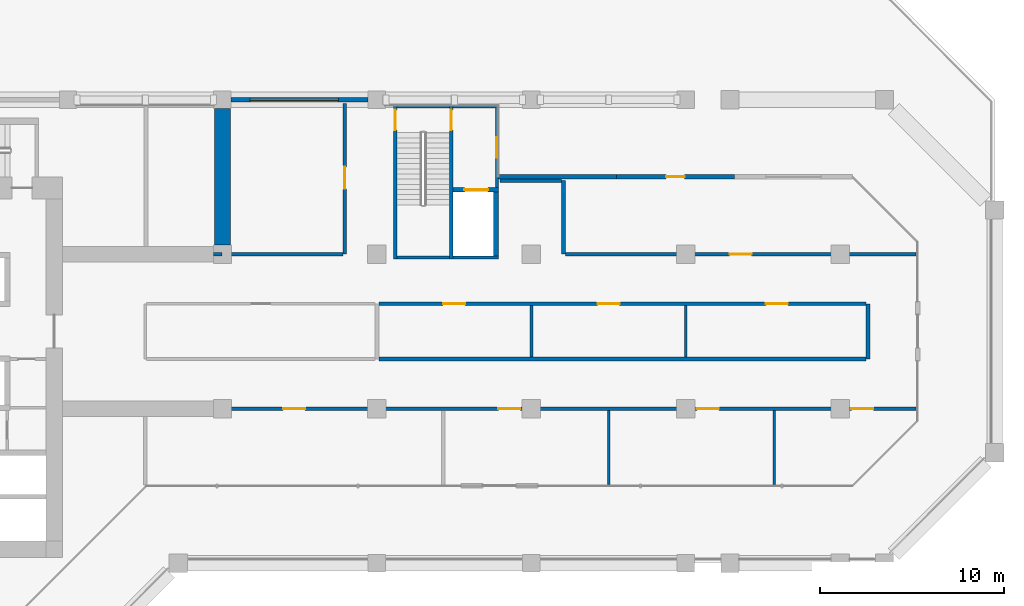
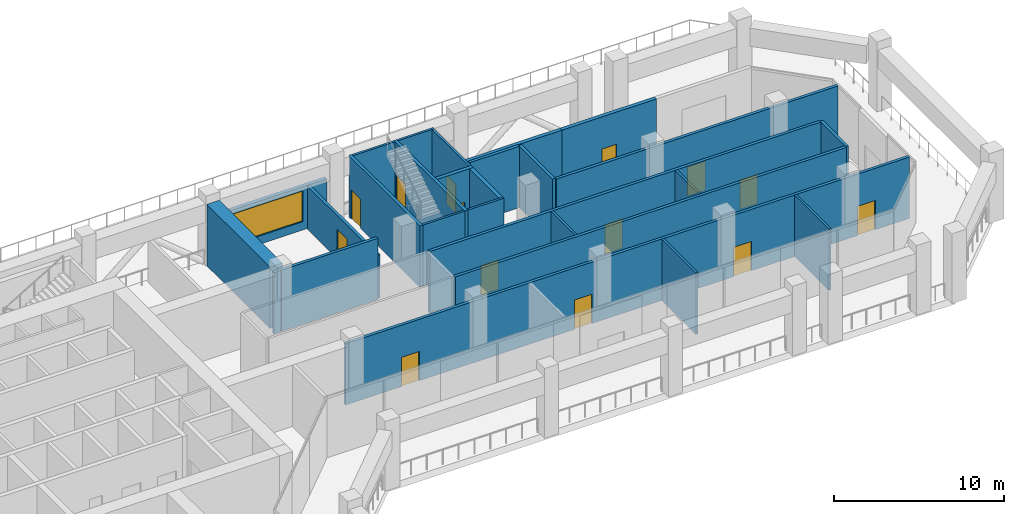
# One storey, part 9 of 19: 27 walls, 14 doors, 1 window, 15 openings.
"""IFC4 building model written with IfcOpenShell, lengths in metres."""

import ifcopenshell
import ifcopenshell.guid

model = None  # the IFC model being written
_history = None  # IfcOwnerHistory: only IFC2X3 demands one
_inside = {}  # id of a spatial element -> (the spatial element, [elements in it])
_under = {}  # id of a project, library or spatial element -> (it, [spatial elements below it])
_declared = {}  # id of a project -> (the project, [libraries it declares])
_typed = {}  # id of a type object -> (the type object, [elements of that type])
_made_of = {}  # id of a material, layer set ... -> (it, [elements and type objects made of it])


def new_model(schema):
    """Start an empty IFC model of exactly this schema.

    Asked for "IFC4X3", IfcOpenShell would pick the latest addendum, in which some entities
    have other attributes; the version numbers below select the first issue.
    IFC2X3 requires an IfcOwnerHistory on every rooted entity: one is made here for all.
    """
    global model, _history
    if schema == "IFC4X3":
        model = ifcopenshell.file(schema_version=(4, 3, 0, 0))
    else:
        model = ifcopenshell.file(schema=schema)
    _inside.clear()
    _under.clear()
    _declared.clear()
    _typed.clear()
    _made_of.clear()
    _history = None
    if model.schema == "IFC2X3":
        org = make("IfcOrganization", Name="unknown")
        user = make(
            "IfcPersonAndOrganization",
            ThePerson=make("IfcPerson", FamilyName="unknown"),
            TheOrganization=org,
        )
        app = make(
            "IfcApplication",
            ApplicationDeveloper=org,
            Version="unknown",
            ApplicationFullName="unknown",
            ApplicationIdentifier="unknown",
        )
        _history = make(
            "IfcOwnerHistory",
            OwningUser=user,
            OwningApplication=app,
            ChangeAction="ADDED",
            CreationDate=0,
        )
    return model


def make(cls, **values):
    """One entity of the class cls with the attributes given. An attribute that is None is left unset."""
    return model.create_entity(
        cls, **{name: value for name, value in values.items() if value is not None}
    )


def rooted(cls, **values):
    """An entity with a GlobalId (a new one), such as an element, a storey or a relation."""
    return make(cls, GlobalId=ifcopenshell.guid.new(), OwnerHistory=_history, **values)


def si_unit(unit_type, name, prefix=None):
    """IfcSIUnit, for example si_unit("LENGTHUNIT", "METRE", prefix="MILLI")."""
    return make("IfcSIUnit", UnitType=unit_type, Prefix=prefix, Name=name)


def assignment(units):
    """IfcUnitAssignment: the units of a project."""
    return None if units is None else make("IfcUnitAssignment", Units=units)


def point(xyz):
    """IfcCartesianPoint."""
    return None if xyz is None else make("IfcCartesianPoint", Coordinates=xyz)


def direction(xyz):
    """IfcDirection."""
    return None if xyz is None else make("IfcDirection", DirectionRatios=xyz)


def frame(location, z_axis=None, x_axis=None):
    """IfcAxis2Placement3D, a coordinate frame: its origin and axes. An axis left out is left unset."""
    return make(
        "IfcAxis2Placement3D",
        Location=point(location),
        Axis=direction(z_axis),
        RefDirection=direction(x_axis),
    )


def frame_2d(location, x_axis=None):
    """IfcAxis2Placement2D, a coordinate frame in the plane: its origin and x axis."""
    return make(
        "IfcAxis2Placement2D", Location=point(location), RefDirection=direction(x_axis)
    )


def origin():
    """The frame at (0, 0, 0) with its axes left unset."""
    return frame((0.0, 0.0, 0.0))


def place(relative_to, where):
    """IfcLocalPlacement: puts the frame where relative to a parent placement (None: the world)."""
    return make(
        "IfcLocalPlacement", PlacementRelTo=relative_to, RelativePlacement=where
    )


def context(
    kind, dimensions, precision=None, world=None, true_north=None, identifier=None
):
    """IfcGeometricRepresentationContext, for example the 3D "Model" context."""
    return make(
        "IfcGeometricRepresentationContext",
        ContextIdentifier=identifier,
        ContextType=kind,
        CoordinateSpaceDimension=dimensions,
        Precision=precision,
        WorldCoordinateSystem=world,
        TrueNorth=true_north,
    )


def subcontext(parent, identifier, kind, view, scale=None):
    """IfcGeometricRepresentationSubContext, for example "Body" below "Model"."""
    return make(
        "IfcGeometricRepresentationSubContext",
        ContextIdentifier=identifier,
        ContextType=kind,
        ParentContext=parent,
        TargetScale=scale,
        TargetView=view,
    )


def project(units=None, contexts=None):
    """IfcProject with its units and contexts."""
    return rooted(
        "IfcProject",
        Name="project",
        RepresentationContexts=contexts,
        UnitsInContext=assignment(units),
    )


def spatial(cls, under=None, at=None, **own):
    """A site, building, storey or space (cls), placed at a placement, below another one or the project."""
    s = rooted(cls, ObjectPlacement=at, **own)
    if under is not None:
        _under.setdefault(under.id(), (under, []))[1].append(s)
    return s


def profile(cls, at=None, kind="AREA", **sizes):
    """A parametric profile (cls). Its sizes go by their IFC names, for example OverallWidth=200.0."""
    return make(cls, ProfileType=kind, Position=at, **sizes)


def rectangle(**sizes):
    """IfcRectangleProfileDef."""
    return profile("IfcRectangleProfileDef", **sizes)


def extrude(swept, where, along, depth):
    """IfcExtrudedAreaSolid: the profile swept, set in the frame where, extruded along a direction by depth."""
    return make(
        "IfcExtrudedAreaSolid",
        SweptArea=swept,
        Position=where,
        ExtrudedDirection=direction(along),
        Depth=depth,
    )


def shape(context_of_items, identifier, shape_type, items):
    """IfcShapeRepresentation: the items that make up one representation, for example the "Body"."""
    return make(
        "IfcShapeRepresentation",
        ContextOfItems=context_of_items,
        RepresentationIdentifier=identifier,
        RepresentationType=shape_type,
        Items=items,
    )


def material(Name=None, Category=None):
    """IfcMaterial."""
    return make("IfcMaterial", Name=Name, Category=Category)


def layer(
    of_material, thickness, ventilated=None, Name=None, Category=None, Priority=None
):
    """IfcMaterialLayer: one layer of a wall or slab, of a material (None: an air gap)."""
    return make(
        "IfcMaterialLayer",
        Material=of_material,
        LayerThickness=thickness,
        IsVentilated=ventilated,
        Name=Name,
        Category=Category,
        Priority=Priority,
    )


def layer_set(layers, Name=None):
    """IfcMaterialLayerSet."""
    return make("IfcMaterialLayerSet", MaterialLayers=layers, LayerSetName=Name)


def made_of(thing, what):
    """Note that an element or type object is made of a material, layer set ...; save() writes the relation."""
    if what is not None:
        _made_of.setdefault(what.id(), (what, []))[1].append(thing)
    return thing


def type_object(cls, material=None, **own):
    """A type object (cls), such as IfcWallType, which elements share."""
    return made_of(rooted(cls, **own), material)


def element(
    cls,
    number,
    at=None,
    inside=None,
    cuts=None,
    type_object=None,
    material=None,
    context=None,
    identifier="Body",
    shape_type=None,
    held_by="IfcProductDefinitionShape",
    body=None,
    shapes=None,
    **own,
):
    """One element of the class cls, such as IfcWall. Its Tag is "e" and its number.

    at: its placement. inside: the storey or other place that contains it. cuts: it is an
    opening in that element (IfcRelVoidsElement). A single representation is given by context,
    identifier, shape_type and body (its items); several are given by shapes. held_by: the class
    of the entity that holds the representations. save() writes the other relations.
    """
    e = rooted(cls, Tag="e%d" % number, ObjectPlacement=at, **own)
    if body is not None:
        shapes = [shape(context, identifier, shape_type, body)]
    if shapes is not None:
        e.Representation = make(held_by, Representations=shapes)
    if inside is not None:
        _inside.setdefault(inside.id(), (inside, []))[1].append(e)
    if cuts is not None:
        rooted(
            "IfcRelVoidsElement", RelatingBuildingElement=cuts, RelatedOpeningElement=e
        )
    if type_object is not None:
        _typed.setdefault(type_object.id(), (type_object, []))[1].append(e)
    return made_of(e, material)


def fill(opening, filler):
    """IfcRelFillsElement: the door or window that sits in an opening."""
    return rooted(
        "IfcRelFillsElement",
        RelatingOpeningElement=opening,
        RelatedBuildingElement=filler,
    )


def aggregate(whole, parts):
    """IfcRelAggregates: a whole, such as a stair, and the parts it consists of."""
    return rooted("IfcRelAggregates", RelatingObject=whole, RelatedObjects=parts)


def save(model, path):
    """Write the relations noted so far, then the file.

    IfcRelAggregates (storeys below a building ...), IfcRelContainedInSpatialStructure (elements
    in a storey), IfcRelDefinesByType, IfcRelAssociatesMaterial and IfcRelDeclares: one each for
    every whole, place, type object, material and project.
    """
    for whole, parts in _under.values():
        aggregate(whole, parts)
    for where, things in _inside.values():
        rooted(
            "IfcRelContainedInSpatialStructure",
            RelatedElements=things,
            RelatingStructure=where,
        )
    for kind, things in _typed.values():
        rooted("IfcRelDefinesByType", RelatedObjects=things, RelatingType=kind)
    for what, things in _made_of.values():
        rooted("IfcRelAssociatesMaterial", RelatedObjects=things, RelatingMaterial=what)
    for by, libraries in _declared.values():
        rooted("IfcRelDeclares", RelatingContext=by, RelatedDefinitions=libraries)
    model.write(path)


model = new_model("IFC4")

# Units and contexts
model_context = context("Model", 3, precision=1e-05, world=origin(), true_north=direction((0.0, 1.0)))
body_context = subcontext(model_context, "Body", "Model", "MODEL_VIEW")
ifc_project = project(units=[si_unit("LENGTHUNIT", "METRE"), si_unit("AREAUNIT", "SQUARE_METRE"), si_unit("VOLUMEUNIT", "CUBIC_METRE"), si_unit("PLANEANGLEUNIT", "RADIAN"), si_unit("MASSUNIT", "GRAM", prefix="KILO")], contexts=[model_context])

# Site, building, storey
site_placement = place(None, origin())
site = spatial("IfcSite", under=ifc_project, at=site_placement, CompositionType="ELEMENT")
building_placement = place(site_placement, origin())
building = spatial("IfcBuilding", under=site, at=building_placement, Name="Kawkab Arch Medical Tower", CompositionType="ELEMENT")
storey_placement = place(building_placement, frame((0.0, 0.0, 153.39990234375)))
storey = spatial("IfcBuildingStorey", under=building, at=storey_placement, Name="L35", CompositionType="ELEMENT", Elevation=153.39990234375)

# Wall
ifc_material_1 = material(Name="Concrete C50/60", Category="concrete")
ifc_layer_1 = layer(ifc_material_1, 0.85009765625)
ifc_layer_set_1 = layer_set([ifc_layer_1], Name="Concrete C50/60")
wall_type_1 = type_object("IfcWallType", Name="Belt wall 850 C50/60", PredefinedType="SHEAR", material=ifc_layer_set_1)
wall_1_placement = place(storey_placement, frame((33.60009765625, -0.47509765625, 0.0), z_axis=(0.0, 0.0, 1.0), x_axis=(0.0, -1.0, 0.0)))
element("IfcWall", 1, at=wall_1_placement, inside=storey, type_object=wall_type_1, Name="Belt wall BW-L35-3", PredefinedType="SHEAR", context=body_context, shape_type="SweptSolid", body=[
    extrude(rectangle(XDim=7.4248046875, YDim=0.85009765625, at=frame_2d((3.71240234375, 0.0))), origin(), (0.0, 0.0, 1.0), 4.400146484375),
])

# Wall, opening, door
ifc_material_2 = material(Name="Gypsum board on steel studs", Category="steel")
ifc_layer_2 = layer(ifc_material_2, 0.14990234375)
ifc_layer_set_2 = layer_set([ifc_layer_2], Name="Gypsum board on steel studs")
wall_type_2 = type_object("IfcWallType", Name="Core room partition 150", PredefinedType="PARTITIONING", material=ifc_layer_set_2)
wall_2_placement = place(storey_placement, frame((48.52490234375, -4.77490234375, 0.0), z_axis=(0.0, 0.0, 1.0), x_axis=(0.0, 1.0, 0.0)))
wall_2 = element("IfcWall", 2, at=wall_2_placement, inside=storey, type_object=wall_type_2, Name="L35 core room partition", PredefinedType="PARTITIONING", context=body_context, shape_type="SweptSolid", body=[
    extrude(rectangle(XDim=4.324951171875, YDim=0.14990234375, at=frame_2d((2.16259765625, 0.0))), origin(), (0.0, 0.0, 1.0), 4.400146484375),
])
opening_1_placement = place(wall_2_placement, frame((1.625, 0.0, 0.0)))
opening_1 = element("IfcOpeningElement", 3, at=opening_1_placement, cuts=wall_2, Name="Opening FD", PredefinedType="OPENING", context=body_context, shape_type="SweptSolid", body=[
    extrude(rectangle(XDim=1.10009765625, YDim=2.10009765625, at=frame_2d((0.550048828125, 1.050048828125))), frame((0.0, 0.0849609375, 0.0), z_axis=(0.0, -1.0, 0.0), x_axis=(1.0, 0.0, 0.0)), (0.0, 0.0, 1.0), 0.169921875),
])
ifc_material_3 = material(Name="Hollow metal fire door leaf")
door_type_1 = type_object("IfcDoorType", Name="Firefighting lobby door 1100", OperationType="SINGLE_SWING_LEFT", PredefinedType="DOOR", material=ifc_material_3)
door_1_placement = place(opening_1_placement, origin())
door_1 = element("IfcDoor", 4, at=door_1_placement, inside=storey, type_object=door_type_1, Name="L35 Service lift lobby door SV1", OperationType="SINGLE_SWING_LEFT", OverallHeight=2.10009765625, OverallWidth=1.10009765625, PredefinedType="DOOR", context=body_context, shape_type="SweptSolid", body=[
    extrude(rectangle(XDim=1.10009765625, YDim=2.10009765625, at=frame_2d((0.550048828125, 1.050048828125))), frame((0.0, 0.02490234375, 0.0), z_axis=(0.0, -1.0, 0.0), x_axis=(1.0, 0.0, 0.0)), (0.0, 0.0, 1.0), 0.050048828125),
])
fill(opening_1, door_1)

ifc_material_4 = material(Name="Concrete C60/75", Category="concrete")
ifc_layer_3 = layer(ifc_material_4, 0.25)
ifc_layer_set_3 = layer_set([ifc_layer_3], Name="Concrete C60/75")
wall_type_3 = type_object("IfcWallType", Name="Core shear wall 250 C60/75", PredefinedType="SHEAR", material=ifc_layer_set_3)
wall_3_placement = place(storey_placement, frame((46.14990234375, -4.89990234375, 0.0), z_axis=(0.0, 0.0, 1.0), x_axis=(1.0, 0.0, 0.0)))
wall_3 = element("IfcWall", 5, at=wall_3_placement, inside=storey, type_object=wall_type_3, Name="L35 core shear wall", PredefinedType="SHEAR", context=body_context, shape_type="SweptSolid", body=[
    extrude(rectangle(XDim=2.4501953125, YDim=0.25, at=frame_2d((1.22509765625, 0.0))), origin(), (0.0, 0.0, 1.0), 4.400146484375),
])
opening_2_placement = place(wall_3_placement, frame((0.60009765625, 0.0, 0.0)))
opening_2 = element("IfcOpeningElement", 6, at=opening_2_placement, cuts=wall_3, Name="Opening LD2", PredefinedType="OPENING", context=body_context, shape_type="SweptSolid", body=[
    extrude(rectangle(XDim=1.300048828125, YDim=2.10009765625, at=frame_2d((0.64990234375, 1.050048828125))), frame((0.0, 0.135009765625, 0.0), z_axis=(0.0, -1.0, 0.0), x_axis=(1.0, 0.0, 0.0)), (0.0, 0.0, 1.0), 0.27001953125),
])
ifc_material_5 = material(Name="Stainless steel lift door leaf", Category="steel")
door_type_2 = type_object("IfcDoorType", Name="Lift landing door 1300", OperationType="DOUBLE_DOOR_SLIDING", PredefinedType="DOOR", material=ifc_material_5)
door_2_placement = place(opening_2_placement, origin())
door_2 = element("IfcDoor", 7, at=door_2_placement, inside=storey, type_object=door_type_2, Name="L35 Lift landing door SV1", OperationType="DOUBLE_DOOR_SLIDING", OverallHeight=2.10009765625, OverallWidth=1.300048828125, PredefinedType="DOOR", context=body_context, shape_type="SweptSolid", body=[
    extrude(rectangle(XDim=1.300048828125, YDim=2.10009765625, at=frame_2d((0.64990234375, 1.050048828125))), frame((0.0, 0.02490234375, 0.0), z_axis=(0.0, -1.0, 0.0), x_axis=(1.0, 0.0, 0.0)), (0.0, 0.0, 1.0), 0.050048828125),
])
fill(opening_2, door_2)

# Wall
wall_4_placement = place(storey_placement, frame((48.47509765625, -8.5, 0.0), z_axis=(0.0, 0.0, 1.0), x_axis=(0.0, 1.0, 0.0)))
element("IfcWall", 8, at=wall_4_placement, inside=storey, type_object=wall_type_3, Name="L35 core shear wall", PredefinedType="SHEAR", context=body_context, shape_type="SweptSolid", body=[
    extrude(rectangle(XDim=3.47509765625, YDim=0.25, at=frame_2d((1.737548828125, 0.0))), origin(), (0.0, 0.0, 1.0), 4.400146484375),
])

# Wall, opening, door
ifc_material_6 = material(Name="Bronze clad insulated wall panel")
ifc_layer_4 = layer(ifc_material_6, 0.25)
ifc_layer_set_4 = layer_set([ifc_layer_4], Name="Bronze clad insulated wall panel")
wall_type_4 = type_object("IfcWallType", Name="External wall bay 250", PredefinedType="SOLIDWALL", material=ifc_layer_set_4)
wall_5_placement = place(storey_placement, frame((61.4404296875, -4.199951171875, 0.0), z_axis=(0.0, 0.0, 1.0), x_axis=(-1.0, 0.0, 0.0)))
wall_5 = element("IfcWall", 9, at=wall_5_placement, inside=storey, type_object=wall_type_4, Name="Plant wall L35.R15.2", PredefinedType="SOLIDWALL", context=body_context, shape_type="SweptSolid", body=[
    extrude(rectangle(XDim=6.419677734375, YDim=0.25, at=frame_2d((3.2099609375, 0.0))), origin(), (0.0, 0.0, 1.0), 4.400146484375),
])
opening_3_placement = place(wall_5_placement, frame((2.710205078125, 0.0, 0.0)))
opening_3 = element("IfcOpeningElement", 10, at=opening_3_placement, cuts=wall_5, Name="Opening PL2A-701", PredefinedType="OPENING", context=body_context, shape_type="SweptSolid", body=[
    extrude(rectangle(XDim=1.0, YDim=2.10009765625, at=frame_2d((0.5, 1.050048828125))), frame((0.0, 0.135009765625, 0.0), z_axis=(0.0, -1.0, 0.0), x_axis=(1.0, 0.0, 0.0)), (0.0, 0.0, 1.0), 0.27001953125),
])
ifc_material_7 = material(Name="Bronze anodised aluminium door with tinted glass", Category="aluminium")
door_type_3 = type_object("IfcDoorType", Name="Single external door 1000 x 2100", OperationType="SINGLE_SWING_LEFT", PredefinedType="DOOR", material=ifc_material_7)
door_3_placement = place(opening_3_placement, origin())
door_3 = element("IfcDoor", 11, at=door_3_placement, inside=storey, type_object=door_type_3, Name="Roof terrace door L35.R15.2", OperationType="SINGLE_SWING_LEFT", OverallHeight=2.10009765625, OverallWidth=1.0, PredefinedType="DOOR", context=body_context, shape_type="SweptSolid", body=[
    extrude(rectangle(XDim=1.0, YDim=2.10009765625, at=frame_2d((0.5, 1.050048828125))), frame((0.0, 0.02490234375, 0.0), z_axis=(0.0, -1.0, 0.0), x_axis=(1.0, 0.0, 0.0)), (0.0, 0.0, 1.0), 0.050048828125),
])
fill(opening_3, door_3)

# Wall
wall_6_placement = place(storey_placement, frame((55.020751953125, -4.199951171875, 0.0), z_axis=(0.0, 0.0, 1.0), x_axis=(-1.0, 0.0, 0.0)))
element("IfcWall", 12, at=wall_6_placement, inside=storey, type_object=wall_type_4, Name="Plant wall L35.R15.3", PredefinedType="SOLIDWALL", context=body_context, shape_type="SweptSolid", body=[
    extrude(rectangle(XDim=6.419677734375, YDim=0.25, at=frame_2d((3.2099609375, 0.0))), origin(), (0.0, 0.0, 1.0), 4.400146484375),
])

# Wall, opening, window
wall_7_placement = place(storey_placement, frame((41.52490234375, 0.0, 0.0), z_axis=(0.0, 0.0, 1.0), x_axis=(-1.0, 0.0, 0.0)))
wall_7 = element("IfcWall", 13, at=wall_7_placement, inside=storey, type_object=wall_type_4, Name="Plant wall L35.R18.2", PredefinedType="SOLIDWALL", context=body_context, shape_type="SweptSolid", body=[
    extrude(rectangle(XDim=7.449951171875, YDim=0.25, at=frame_2d((3.72509765625, 0.0))), origin(), (0.0, 0.0, 1.0), 3.10009765625),
])
opening_4_placement = place(wall_7_placement, frame((1.625, 0.0, 0.60009765625)))
opening_4 = element("IfcOpeningElement", 14, at=opening_4_placement, cuts=wall_7, Name="Opening PW480-22-S6", PredefinedType="OPENING", context=body_context, shape_type="SweptSolid", body=[
    extrude(rectangle(XDim=4.800048828125, YDim=2.199951171875, at=frame_2d((2.39990234375, 1.10009765625))), frame((0.0, 0.135009765625, 0.0), z_axis=(0.0, -1.0, 0.0), x_axis=(1.0, 0.0, 0.0)), (0.0, 0.0, 1.0), 0.27001953125),
])
ifc_material_8 = material(Name="Bronze anodised aluminium louvred window", Category="aluminium")
window_type = type_object("IfcWindowType", Name="Plant louvre window 4800 x 2200 sill 600", PartitioningType="DOUBLE_PANEL_VERTICAL", PredefinedType="WINDOW", material=ifc_material_8)
window_placement = place(opening_4_placement, origin())
window = element("IfcWindow", 15, at=window_placement, inside=storey, type_object=window_type, Name="Plant louvre window L35.R18.2", OverallHeight=2.199951171875, OverallWidth=4.800048828125, PartitioningType="SINGLE_PANEL", PredefinedType="WINDOW", context=body_context, shape_type="SweptSolid", body=[
    extrude(rectangle(XDim=4.800048828125, YDim=2.199951171875, at=frame_2d((2.39990234375, 1.10009765625))), frame((0.0, 0.030029296875, 0.0), z_axis=(0.0, -1.0, 0.0), x_axis=(1.0, 0.0, 0.0)), (0.0, 0.0, 1.0), 0.06005859375),
])
fill(opening_4, window)

# Walls
ifc_material_9 = material(Name="Gypsum board partition on steel studs, mineral wool", Category="steel")
ifc_layer_5 = layer(ifc_material_9, 0.14990234375)
ifc_layer_set_5 = layer_set([ifc_layer_5], Name="Gypsum board partition on steel studs, mineral wool")
wall_type_5 = type_object("IfcWallType", Name="Partition 150", PredefinedType="PARTITIONING", material=ifc_layer_set_5)
wall_8_placement = place(storey_placement, frame((50.39990234375, -14.0, 0.0), z_axis=(0.0, 0.0, 1.0), x_axis=(0.0, 1.0, 0.0)))
element("IfcWall", 16, at=wall_8_placement, inside=storey, type_object=wall_type_5, Name="Partition 150 w008", PredefinedType="PARTITIONING", context=body_context, shape_type="SweptSolid", body=[
    extrude(rectangle(XDim=2.800048828125, YDim=0.14990234375, at=frame_2d((1.39990234375, 0.0))), origin(), (0.0, 0.0, 1.0), 4.400146484375),
])
wall_9_placement = place(storey_placement, frame((54.60009765625, -20.919921875, 0.0), z_axis=(0.0, 0.0, 1.0), x_axis=(0.0, 1.0, 0.0)))
element("IfcWall", 17, at=wall_9_placement, inside=storey, type_object=wall_type_5, Name="Partition 150 w009", PredefinedType="PARTITIONING", context=body_context, shape_type="SweptSolid", body=[
    extrude(rectangle(XDim=4.02001953125, YDim=0.14990234375, at=frame_2d((2.010009765625, 0.0))), origin(), (0.0, 0.0, 1.0), 4.400146484375),
])
wall_10_placement = place(storey_placement, frame((58.800048828125, -14.0, 0.0), z_axis=(0.0, 0.0, 1.0), x_axis=(0.0, 1.0, 0.0)))
element("IfcWall", 18, at=wall_10_placement, inside=storey, type_object=wall_type_5, Name="Partition 150 w010", PredefinedType="PARTITIONING", context=body_context, shape_type="SweptSolid", body=[
    extrude(rectangle(XDim=2.800048828125, YDim=0.14990234375, at=frame_2d((1.39990234375, 0.0))), origin(), (0.0, 0.0, 1.0), 4.400146484375),
])
wall_11_placement = place(storey_placement, frame((63.60009765625, -20.919921875, 0.0), z_axis=(0.0, 0.0, 1.0), x_axis=(0.0, 1.0, 0.0)))
element("IfcWall", 19, at=wall_11_placement, inside=storey, type_object=wall_type_5, Name="Partition 150 w011", PredefinedType="PARTITIONING", context=body_context, shape_type="SweptSolid", body=[
    extrude(rectangle(XDim=4.02001953125, YDim=0.14990234375, at=frame_2d((2.010009765625, 0.0))), origin(), (0.0, 0.0, 1.0), 4.400146484375),
])

# Wall, openings, doors
ifc_material_10 = material(Name="Fire-rated gypsum board partition on steel studs", Category="steel")
ifc_layer_6 = layer(ifc_material_10, 0.199951171875)
ifc_layer_set_6 = layer_set([ifc_layer_6], Name="Fire-rated gypsum board partition on steel studs")
wall_type_6 = type_object("IfcWallType", Name="Protected partition 200", PredefinedType="PARTITIONING", material=ifc_layer_set_6)
wall_12_placement = place(storey_placement, frame((33.10009765625, -16.800048828125, 0.0), z_axis=(0.0, 0.0, 1.0), x_axis=(1.0, 0.0, 0.0)))
wall_12 = element("IfcWall", 20, at=wall_12_placement, inside=storey, type_object=wall_type_6, Name="Protected partition 200 w015", PredefinedType="PARTITIONING", context=body_context, shape_type="SweptSolid", body=[
    extrude(rectangle(XDim=38.220947265625, YDim=0.199951171875, at=frame_2d((19.1103515625, 0.0))), origin(), (0.0, 0.0, 1.0), 4.400146484375),
])
opening_5_placement = place(wall_12_placement, frame((3.800048828125, 0.0, 0.0)))
opening_5 = element("IfcOpeningElement", 21, at=opening_5_placement, cuts=wall_12, Name="Opening PL2A-016", PredefinedType="OPENING", context=body_context, shape_type="SweptSolid", body=[
    extrude(rectangle(XDim=1.199951171875, YDim=2.10009765625, at=frame_2d((0.60009765625, 1.050048828125))), frame((0.0, 0.10986328125, 0.0), z_axis=(0.0, -1.0, 0.0), x_axis=(1.0, 0.0, 0.0)), (0.0, 0.0, 1.0), 0.219970703125),
])
opening_6_placement = place(wall_12_placement, frame((15.5, 0.0, 0.0)))
opening_6 = element("IfcOpeningElement", 22, at=opening_6_placement, cuts=wall_12, Name="Opening PL2A-008", PredefinedType="OPENING", context=body_context, shape_type="SweptSolid", body=[
    extrude(rectangle(XDim=1.199951171875, YDim=2.10009765625, at=frame_2d((0.60009765625, 1.050048828125))), frame((0.0, 0.10986328125, 0.0), z_axis=(0.0, -1.0, 0.0), x_axis=(1.0, 0.0, 0.0)), (0.0, 0.0, 1.0), 0.219970703125),
])
opening_7_placement = place(wall_12_placement, frame((26.300048828125, 0.0, 0.0)))
opening_7 = element("IfcOpeningElement", 23, at=opening_7_placement, cuts=wall_12, Name="Opening PL2A-009", PredefinedType="OPENING", context=body_context, shape_type="SweptSolid", body=[
    extrude(rectangle(XDim=1.199951171875, YDim=2.10009765625, at=frame_2d((0.60009765625, 1.050048828125))), frame((0.0, 0.10986328125, 0.0), z_axis=(0.0, -1.0, 0.0), x_axis=(1.0, 0.0, 0.0)), (0.0, 0.0, 1.0), 0.219970703125),
])
opening_8_placement = place(wall_12_placement, frame((34.700927734375, 0.0, 0.0)))
opening_8 = element("IfcOpeningElement", 24, at=opening_8_placement, cuts=wall_12, Name="Opening PL2A-010", PredefinedType="OPENING", context=body_context, shape_type="SweptSolid", body=[
    extrude(rectangle(XDim=1.199951171875, YDim=2.10009765625, at=frame_2d((0.60009765625, 1.050048828125))), frame((0.0, 0.10986328125, 0.0), z_axis=(0.0, -1.0, 0.0), x_axis=(1.0, 0.0, 0.0)), (0.0, 0.0, 1.0), 0.219970703125),
])
ifc_material_11 = material(Name="Hollow metal door leaf")
door_type_4 = type_object("IfcDoorType", Name="Single door 1200x2100 FD60", OperationType="NOTDEFINED", PredefinedType="DOOR", material=ifc_material_11)
door_4_placement = place(opening_6_placement, origin())
door_4 = element("IfcDoor", 25, at=door_4_placement, inside=storey, type_object=door_type_4, Name="Door PL2A-008", OperationType="SINGLE_SWING_RIGHT", OverallHeight=2.10009765625, OverallWidth=1.199951171875, PredefinedType="DOOR", context=body_context, shape_type="SweptSolid", body=[
    extrude(rectangle(XDim=1.199951171875, YDim=2.10009765625, at=frame_2d((0.60009765625, 1.050048828125))), frame((0.0, 0.02490234375, 0.0), z_axis=(0.0, -1.0, 0.0), x_axis=(1.0, 0.0, 0.0)), (0.0, 0.0, 1.0), 0.050048828125),
])
fill(opening_6, door_4)
door_5_placement = place(opening_7_placement, origin())
door_5 = element("IfcDoor", 26, at=door_5_placement, inside=storey, type_object=door_type_4, Name="Door PL2A-009", OperationType="SINGLE_SWING_LEFT", OverallHeight=2.10009765625, OverallWidth=1.199951171875, PredefinedType="DOOR", context=body_context, shape_type="SweptSolid", body=[
    extrude(rectangle(XDim=1.199951171875, YDim=2.10009765625, at=frame_2d((0.60009765625, 1.050048828125))), frame((0.0, 0.02490234375, 0.0), z_axis=(0.0, -1.0, 0.0), x_axis=(1.0, 0.0, 0.0)), (0.0, 0.0, 1.0), 0.050048828125),
])
fill(opening_7, door_5)
door_6_placement = place(opening_8_placement, origin())
door_6 = element("IfcDoor", 27, at=door_6_placement, inside=storey, type_object=door_type_4, Name="Door PL2A-010", OperationType="SINGLE_SWING_LEFT", OverallHeight=2.10009765625, OverallWidth=1.199951171875, PredefinedType="DOOR", context=body_context, shape_type="SweptSolid", body=[
    extrude(rectangle(XDim=1.199951171875, YDim=2.10009765625, at=frame_2d((0.60009765625, 1.050048828125))), frame((0.0, 0.02490234375, 0.0), z_axis=(0.0, -1.0, 0.0), x_axis=(1.0, 0.0, 0.0)), (0.0, 0.0, 1.0), 0.050048828125),
])
fill(opening_8, door_6)
ifc_material_12 = material(Name="Hollow metal door leaf")
door_type_5 = type_object("IfcDoorType", Name="Single door 1200x2100 FD90", OperationType="NOTDEFINED", PredefinedType="DOOR", material=ifc_material_12)
door_7_placement = place(opening_5_placement, origin())
door_7 = element("IfcDoor", 28, at=door_7_placement, inside=storey, type_object=door_type_5, Name="Door PL2A-016", OperationType="SINGLE_SWING_RIGHT", OverallHeight=2.10009765625, OverallWidth=1.199951171875, PredefinedType="DOOR", context=body_context, shape_type="SweptSolid", body=[
    extrude(rectangle(XDim=1.199951171875, YDim=2.10009765625, at=frame_2d((0.60009765625, 1.050048828125))), frame((0.0, 0.02490234375, 0.0), z_axis=(0.0, -1.0, 0.0), x_axis=(1.0, 0.0, 0.0)), (0.0, 0.0, 1.0), 0.050048828125),
])
fill(opening_5, door_7)

# Wall
wall_13_placement = place(storey_placement, frame((42.10009765625, -14.10009765625, 0.0), z_axis=(0.0, 0.0, 1.0), x_axis=(1.0, 0.0, 0.0)))
element("IfcWall", 29, at=wall_13_placement, inside=storey, type_object=wall_type_6, Name="Protected partition 200 w016", PredefinedType="PARTITIONING", context=body_context, shape_type="SweptSolid", body=[
    extrude(rectangle(XDim=26.5, YDim=0.199951171875, at=frame_2d((13.25, 0.0))), origin(), (0.0, 0.0, 1.0), 4.400146484375),
])

# Wall, openings, doors
wall_14_placement = place(storey_placement, frame((42.10009765625, -11.10009765625, 0.0), z_axis=(0.0, 0.0, 1.0), x_axis=(1.0, 0.0, 0.0)))
wall_14 = element("IfcWall", 30, at=wall_14_placement, inside=storey, type_object=wall_type_6, Name="Protected partition 200 w017", PredefinedType="PARTITIONING", context=body_context, shape_type="SweptSolid", body=[
    extrude(rectangle(XDim=26.496826171875, YDim=0.199951171875, at=frame_2d((13.24853515625, 0.0))), origin(), (0.0, 0.0, 1.0), 4.400146484375),
])
opening_9_placement = place(wall_14_placement, frame((3.5, 0.0, 0.0)))
opening_9 = element("IfcOpeningElement", 31, at=opening_9_placement, cuts=wall_14, Name="Opening PL2A-005", PredefinedType="OPENING", context=body_context, shape_type="SweptSolid", body=[
    extrude(rectangle(XDim=1.199951171875, YDim=2.10009765625, at=frame_2d((0.60009765625, 1.050048828125))), frame((0.0, 0.10986328125, 0.0), z_axis=(0.0, -1.0, 0.0), x_axis=(1.0, 0.0, 0.0)), (0.0, 0.0, 1.0), 0.219970703125),
])
opening_10_placement = place(wall_14_placement, frame((11.89990234375, 0.0, 0.0)))
opening_10 = element("IfcOpeningElement", 32, at=opening_10_placement, cuts=wall_14, Name="Opening PL2A-006", PredefinedType="OPENING", context=body_context, shape_type="SweptSolid", body=[
    extrude(rectangle(XDim=1.199951171875, YDim=2.10009765625, at=frame_2d((0.60009765625, 1.050048828125))), frame((0.0, 0.10986328125, 0.0), z_axis=(0.0, -1.0, 0.0), x_axis=(1.0, 0.0, 0.0)), (0.0, 0.0, 1.0), 0.219970703125),
])
opening_11_placement = place(wall_14_placement, frame((21.048095703125, 0.0, 0.0)))
opening_11 = element("IfcOpeningElement", 33, at=opening_11_placement, cuts=wall_14, Name="Opening PL2A-007", PredefinedType="OPENING", context=body_context, shape_type="SweptSolid", body=[
    extrude(rectangle(XDim=1.199951171875, YDim=2.10009765625, at=frame_2d((0.60009765625, 1.050048828125))), frame((0.0, 0.10986328125, 0.0), z_axis=(0.0, -1.0, 0.0), x_axis=(1.0, 0.0, 0.0)), (0.0, 0.0, 1.0), 0.219970703125),
])
door_8_placement = place(opening_9_placement, origin())
door_8 = element("IfcDoor", 34, at=door_8_placement, inside=storey, type_object=door_type_4, Name="Door PL2A-005", OperationType="SINGLE_SWING_RIGHT", OverallHeight=2.10009765625, OverallWidth=1.199951171875, PredefinedType="DOOR", context=body_context, shape_type="SweptSolid", body=[
    extrude(rectangle(XDim=1.199951171875, YDim=2.10009765625, at=frame_2d((0.60009765625, 1.050048828125))), frame((0.0, 0.02490234375, 0.0), z_axis=(0.0, -1.0, 0.0), x_axis=(1.0, 0.0, 0.0)), (0.0, 0.0, 1.0), 0.050048828125),
])
fill(opening_9, door_8)
door_9_placement = place(opening_10_placement, origin())
door_9 = element("IfcDoor", 35, at=door_9_placement, inside=storey, type_object=door_type_4, Name="Door PL2A-006", OperationType="SINGLE_SWING_RIGHT", OverallHeight=2.10009765625, OverallWidth=1.199951171875, PredefinedType="DOOR", context=body_context, shape_type="SweptSolid", body=[
    extrude(rectangle(XDim=1.199951171875, YDim=2.10009765625, at=frame_2d((0.60009765625, 1.050048828125))), frame((0.0, 0.02490234375, 0.0), z_axis=(0.0, -1.0, 0.0), x_axis=(1.0, 0.0, 0.0)), (0.0, 0.0, 1.0), 0.050048828125),
])
fill(opening_10, door_9)
door_10_placement = place(opening_11_placement, origin())
door_10 = element("IfcDoor", 36, at=door_10_placement, inside=storey, type_object=door_type_4, Name="Door PL2A-007", OperationType="SINGLE_SWING_LEFT", OverallHeight=2.10009765625, OverallWidth=1.199951171875, PredefinedType="DOOR", context=body_context, shape_type="SweptSolid", body=[
    extrude(rectangle(XDim=1.199951171875, YDim=2.10009765625, at=frame_2d((0.60009765625, 1.050048828125))), frame((0.0, 0.02490234375, 0.0), z_axis=(0.0, -1.0, 0.0), x_axis=(1.0, 0.0, 0.0)), (0.0, 0.0, 1.0), 0.050048828125),
])
fill(opening_11, door_10)

# Walls
wall_15_placement = place(storey_placement, frame((33.10009765625, -8.39990234375, 0.0), z_axis=(0.0, 0.0, 1.0), x_axis=(1.0, 0.0, 0.0)))
element("IfcWall", 37, at=wall_15_placement, inside=storey, type_object=wall_type_6, Name="Protected partition 200 w018", PredefinedType="PARTITIONING", context=body_context, shape_type="SweptSolid", body=[
    extrude(rectangle(XDim=0.47998046875, YDim=0.199951171875, at=frame_2d((0.239990234375, 0.0))), origin(), (0.0, 0.0, 1.0), 4.400146484375),
])
wall_16_placement = place(storey_placement, frame((33.60009765625, -8.39990234375, 0.0), z_axis=(0.0, 0.0, 1.0), x_axis=(1.0, 0.0, 0.0)))
element("IfcWall", 38, at=wall_16_placement, inside=storey, type_object=wall_type_6, Name="Protected partition 200 w019", PredefinedType="PARTITIONING", context=body_context, shape_type="SweptSolid", body=[
    extrude(rectangle(XDim=6.554931640625, YDim=0.199951171875, at=frame_2d((3.27734375, 0.0))), origin(), (0.0, 0.0, 1.0), 4.400146484375),
])

# Wall, opening, door
wall_17_placement = place(storey_placement, frame((52.2451171875, -8.39990234375, 0.0), z_axis=(0.0, 0.0, 1.0), x_axis=(1.0, 0.0, 0.0)))
wall_17 = element("IfcWall", 39, at=wall_17_placement, inside=storey, type_object=wall_type_6, Name="Protected partition 200 w020", PredefinedType="PARTITIONING", context=body_context, shape_type="SweptSolid", body=[
    extrude(rectangle(XDim=19.075927734375, YDim=0.199951171875, at=frame_2d((9.5380859375, 0.0))), origin(), (0.0, 0.0, 1.0), 4.400146484375),
])
opening_12_placement = place(wall_17_placement, frame((8.927978515625, 0.0, 0.0)))
opening_12 = element("IfcOpeningElement", 40, at=opening_12_placement, cuts=wall_17, Name="Opening PL2A-004", PredefinedType="OPENING", context=body_context, shape_type="SweptSolid", body=[
    extrude(rectangle(XDim=1.199951171875, YDim=2.10009765625, at=frame_2d((0.60009765625, 1.050048828125))), frame((0.0, 0.10986328125, 0.0), z_axis=(0.0, -1.0, 0.0), x_axis=(1.0, 0.0, 0.0)), (0.0, 0.0, 1.0), 0.219970703125),
])
door_11_placement = place(opening_12_placement, origin())
door_11 = element("IfcDoor", 41, at=door_11_placement, inside=storey, type_object=door_type_4, Name="Door PL2A-004", OperationType="SINGLE_SWING_RIGHT", OverallHeight=2.10009765625, OverallWidth=1.199951171875, PredefinedType="DOOR", context=body_context, shape_type="SweptSolid", body=[
    extrude(rectangle(XDim=1.199951171875, YDim=2.10009765625, at=frame_2d((0.60009765625, 1.050048828125))), frame((0.0, 0.02490234375, 0.0), z_axis=(0.0, -1.0, 0.0), x_axis=(1.0, 0.0, 0.0)), (0.0, 0.0, 1.0), 0.050048828125),
])
fill(opening_12, door_11)

# Wall
wall_18_placement = place(storey_placement, frame((48.679931640625, -4.39990234375, 0.0), z_axis=(0.0, 0.0, 1.0), x_axis=(1.0, 0.0, 0.0)))
element("IfcWall", 42, at=wall_18_placement, inside=storey, type_object=wall_type_6, Name="Protected partition 200 w021", PredefinedType="PARTITIONING", context=body_context, shape_type="SweptSolid", body=[
    extrude(rectangle(XDim=3.361083984375, YDim=0.199951171875, at=frame_2d((1.6806640625, 0.0))), origin(), (0.0, 0.0, 1.0), 4.400146484375),
])

# Wall, opening, door
wall_19_placement = place(storey_placement, frame((40.257080078125, -8.39697265625, 0.0), z_axis=(0.0, 0.0, 1.0), x_axis=(0.0, 1.0, 0.0)))
wall_19 = element("IfcWall", 43, at=wall_19_placement, inside=storey, type_object=wall_type_6, Name="Protected partition 200 w029", PredefinedType="PARTITIONING", context=body_context, shape_type="SweptSolid", body=[
    extrude(rectangle(XDim=8.197021484375, YDim=0.199951171875, at=frame_2d((4.0986328125, 0.0))), origin(), (0.0, 0.0, 1.0), 3.10009765625),
])
opening_13_placement = place(wall_19_placement, frame((3.548095703125, 0.0, 0.0)))
opening_13 = element("IfcOpeningElement", 44, at=opening_13_placement, cuts=wall_19, Name="Opening PL2A-003", PredefinedType="OPENING", context=body_context, shape_type="SweptSolid", body=[
    extrude(rectangle(XDim=1.199951171875, YDim=2.10009765625, at=frame_2d((0.60009765625, 1.050048828125))), frame((0.0, 0.10986328125, 0.0), z_axis=(0.0, -1.0, 0.0), x_axis=(1.0, 0.0, 0.0)), (0.0, 0.0, 1.0), 0.219970703125),
])
door_12_placement = place(opening_13_placement, origin())
door_12 = element("IfcDoor", 45, at=door_12_placement, inside=storey, type_object=door_type_4, Name="Door PL2A-003", OperationType="SINGLE_SWING_LEFT", OverallHeight=2.10009765625, OverallWidth=1.199951171875, PredefinedType="DOOR", context=body_context, shape_type="SweptSolid", body=[
    extrude(rectangle(XDim=1.199951171875, YDim=2.10009765625, at=frame_2d((0.60009765625, 1.050048828125))), frame((0.0, 0.02490234375, 0.0), z_axis=(0.0, -1.0, 0.0), x_axis=(1.0, 0.0, 0.0)), (0.0, 0.0, 1.0), 0.050048828125),
])
fill(opening_13, door_12)

# Walls
wall_20_placement = place(storey_placement, frame((52.14306640625, -8.39794921875, 0.0), z_axis=(0.0, 0.0, 1.0), x_axis=(0.0, 1.0, 0.0)))
element("IfcWall", 46, at=wall_20_placement, inside=storey, type_object=wall_type_6, Name="Protected partition 200 w032", PredefinedType="PARTITIONING", context=body_context, shape_type="SweptSolid", body=[
    extrude(rectangle(XDim=3.9970703125, YDim=0.199951171875, at=frame_2d((1.99853515625, 0.0))), origin(), (0.0, 0.0, 1.0), 4.400146484375),
])
wall_21_placement = place(storey_placement, frame((68.699951171875, -14.10009765625, 0.0), z_axis=(0.0, 0.0, 1.0), x_axis=(0.0, 1.0, 0.0)))
element("IfcWall", 47, at=wall_21_placement, inside=storey, type_object=wall_type_6, Name="Protected partition 200 w033", PredefinedType="PARTITIONING", context=body_context, shape_type="SweptSolid", body=[
    extrude(rectangle(XDim=2.9970703125, YDim=0.199951171875, at=frame_2d((1.49853515625, 0.0))), origin(), (0.0, 0.0, 1.0), 4.400146484375),
])
ifc_material_13 = material(Name="Concrete C50/60", Category="concrete")
ifc_layer_7 = layer(ifc_material_13, 0.14990234375)
ifc_layer_set_7 = layer_set([ifc_layer_7], Name="Concrete C50/60")
wall_type_7 = type_object("IfcWallType", Name="Stair enclosure wall 150 C50/60", PredefinedType="SHEAR", material=ifc_layer_set_7)
wall_22_placement = place(storey_placement, frame((43.10009765625, -0.375, 0.0), z_axis=(0.0, 0.0, 1.0), x_axis=(1.0, 0.0, 0.0)))
element("IfcWall", 48, at=wall_22_placement, inside=storey, type_object=wall_type_7, Name="L35 stair enclosure wall", PredefinedType="SHEAR", context=body_context, shape_type="SweptSolid", body=[
    extrude(rectangle(XDim=2.849853515625, YDim=0.14990234375, at=frame_2d((1.4248046875, 0.0))), origin(), (0.0, 0.0, 1.0), 4.400146484375),
])
wall_23_placement = place(storey_placement, frame((46.14990234375, -0.375, 0.0), z_axis=(0.0, 0.0, 1.0), x_axis=(1.0, 0.0, 0.0)))
element("IfcWall", 49, at=wall_23_placement, inside=storey, type_object=wall_type_7, Name="L35 stair enclosure wall", PredefinedType="SHEAR", context=body_context, shape_type="SweptSolid", body=[
    extrude(rectangle(XDim=2.4501953125, YDim=0.14990234375, at=frame_2d((1.22509765625, 0.0))), origin(), (0.0, 0.0, 1.0), 4.400146484375),
])
wall_24_placement = place(storey_placement, frame((43.10009765625, -8.574951171875, 0.0), z_axis=(0.0, 0.0, 1.0), x_axis=(1.0, 0.0, 0.0)))
element("IfcWall", 50, at=wall_24_placement, inside=storey, type_object=wall_type_7, Name="L35 stair enclosure wall", PredefinedType="SHEAR", context=body_context, shape_type="SweptSolid", body=[
    extrude(rectangle(XDim=2.849853515625, YDim=0.14990234375, at=frame_2d((1.4248046875, 0.0))), origin(), (0.0, 0.0, 1.0), 4.400146484375),
])
wall_25_placement = place(storey_placement, frame((46.14990234375, -8.574951171875, 0.0), z_axis=(0.0, 0.0, 1.0), x_axis=(1.0, 0.0, 0.0)))
element("IfcWall", 51, at=wall_25_placement, inside=storey, type_object=wall_type_7, Name="L35 stair enclosure wall", PredefinedType="SHEAR", context=body_context, shape_type="SweptSolid", body=[
    extrude(rectangle(XDim=2.4501953125, YDim=0.14990234375, at=frame_2d((1.22509765625, 0.0))), origin(), (0.0, 0.0, 1.0), 4.400146484375),
])

# Wall, opening, door
ifc_material_14 = material(Name="Concrete C50/60", Category="concrete")
ifc_layer_8 = layer(ifc_material_14, 0.199951171875)
ifc_layer_set_8 = layer_set([ifc_layer_8], Name="Concrete C50/60")
wall_type_8 = type_object("IfcWallType", Name="Stair enclosure wall 200 C50/60", PredefinedType="SHEAR", material=ifc_layer_set_8)
wall_26_placement = place(storey_placement, frame((43.0, -8.64990234375, 0.0), z_axis=(0.0, 0.0, 1.0), x_axis=(0.0, 1.0, 0.0)))
wall_26 = element("IfcWall", 52, at=wall_26_placement, inside=storey, type_object=wall_type_8, Name="L35 stair enclosure wall", PredefinedType="SHEAR", context=body_context, shape_type="SweptSolid", body=[
    extrude(rectangle(XDim=8.349853515625, YDim=0.199951171875, at=frame_2d((4.1748046875, 0.0))), origin(), (0.0, 0.0, 1.0), 4.400146484375),
])
opening_14_placement = place(wall_26_placement, frame((7.0, 0.0, 0.0)))
opening_14 = element("IfcOpeningElement", 53, at=opening_14_placement, cuts=wall_26, Name="Opening SD", PredefinedType="OPENING", context=body_context, shape_type="SweptSolid", body=[
    extrude(rectangle(XDim=1.10009765625, YDim=2.10009765625, at=frame_2d((0.550048828125, 1.050048828125))), frame((0.0, 0.10986328125, 0.0), z_axis=(0.0, -1.0, 0.0), x_axis=(1.0, 0.0, 0.0)), (0.0, 0.0, 1.0), 0.219970703125),
])
ifc_material_15 = material(Name="Hollow metal fire door leaf")
door_type_6 = type_object("IfcDoorType", Name="Exit stair door 1100", OperationType="SINGLE_SWING_LEFT", PredefinedType="DOOR", material=ifc_material_15)
door_13_placement = place(opening_14_placement, frame((1.10009765625, 0.0, 0.0), z_axis=(0.0, 0.0, 1.0), x_axis=(-1.0, 0.0, 0.0)))
door_13 = element("IfcDoor", 54, at=door_13_placement, inside=storey, type_object=door_type_6, Name="L35 Exit stair ST5 door", OperationType="SINGLE_SWING_LEFT", OverallHeight=2.10009765625, OverallWidth=1.10009765625, PredefinedType="DOOR", context=body_context, shape_type="SweptSolid", body=[
    extrude(rectangle(XDim=1.10009765625, YDim=2.10009765625, at=frame_2d((0.550048828125, 1.050048828125))), frame((0.0, 0.02490234375, 0.0), z_axis=(0.0, -1.0, 0.0), x_axis=(1.0, 0.0, 0.0)), (0.0, 0.0, 1.0), 0.050048828125),
])
fill(opening_14, door_13)

wall_27_placement = place(storey_placement, frame((46.050048828125, -8.64990234375, 0.0), z_axis=(0.0, 0.0, 1.0), x_axis=(0.0, 1.0, 0.0)))
wall_27 = element("IfcWall", 55, at=wall_27_placement, inside=storey, type_object=wall_type_8, Name="L35 stair enclosure wall", PredefinedType="SHEAR", context=body_context, shape_type="SweptSolid", body=[
    extrude(rectangle(XDim=8.349853515625, YDim=0.199951171875, at=frame_2d((4.1748046875, 0.0))), origin(), (0.0, 0.0, 1.0), 4.400146484375),
])
opening_15_placement = place(wall_27_placement, frame((7.0, 0.0, 0.0)))
opening_15 = element("IfcOpeningElement", 56, at=opening_15_placement, cuts=wall_27, Name="Opening SD", PredefinedType="OPENING", context=body_context, shape_type="SweptSolid", body=[
    extrude(rectangle(XDim=1.10009765625, YDim=2.10009765625, at=frame_2d((0.550048828125, 1.050048828125))), frame((0.0, 0.10986328125, 0.0), z_axis=(0.0, -1.0, 0.0), x_axis=(1.0, 0.0, 0.0)), (0.0, 0.0, 1.0), 0.219970703125),
])
door_14_placement = place(opening_15_placement, origin())
door_14 = element("IfcDoor", 57, at=door_14_placement, inside=storey, type_object=door_type_6, Name="L35 Exit stair ST5 lobby door", OperationType="SINGLE_SWING_LEFT", OverallHeight=2.10009765625, OverallWidth=1.10009765625, PredefinedType="DOOR", context=body_context, shape_type="SweptSolid", body=[
    extrude(rectangle(XDim=1.10009765625, YDim=2.10009765625, at=frame_2d((0.550048828125, 1.050048828125))), frame((0.0, 0.02490234375, 0.0), z_axis=(0.0, -1.0, 0.0), x_axis=(1.0, 0.0, 0.0)), (0.0, 0.0, 1.0), 0.050048828125),
])
fill(opening_15, door_14)

save(model, "model.ifc")
